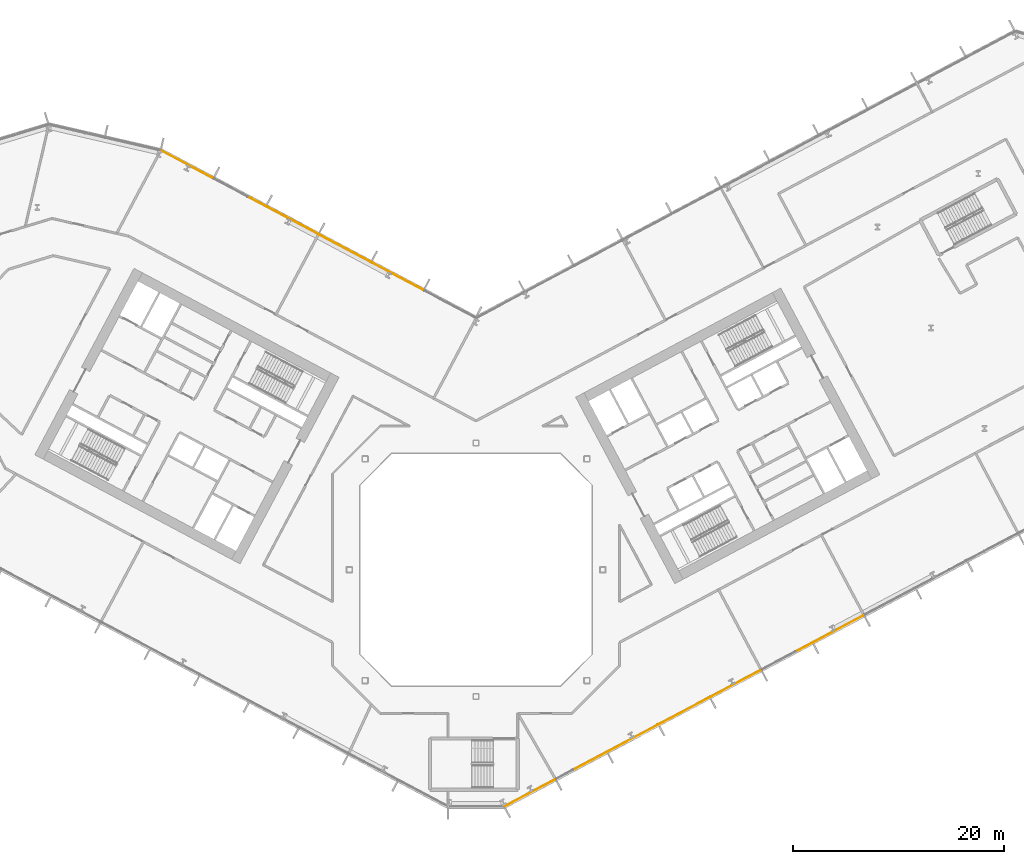
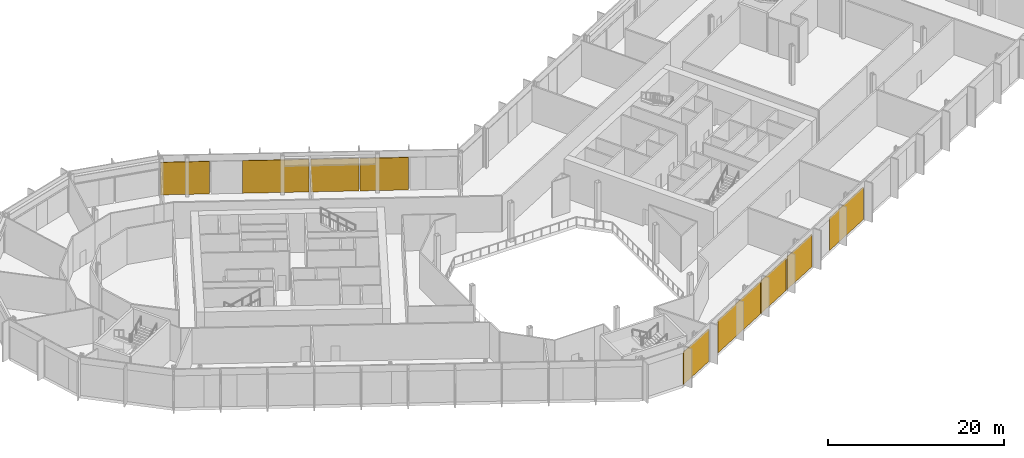
# One storey, part 25 of 30: 9 coverings, 2 elements without a shape of their own.
"""IFC4 building model written with IfcOpenShell, lengths in metres."""

from ifc_helpers import new_model, si_unit, direction, frame, origin, origin_2d, place, context, subcontext, project, spatial, rectangle, extrude, material, layer, layer_set, type_object, element, aggregate, save


model = new_model("IFC4")

# Units and contexts
model_context = context("Model", 3, precision=1e-05, world=origin(), true_north=direction((0.0, 1.0)))
body_context = subcontext(model_context, "Body", "Model", "MODEL_VIEW")
ifc_project = project(units=[si_unit("LENGTHUNIT", "METRE"), si_unit("AREAUNIT", "SQUARE_METRE"), si_unit("VOLUMEUNIT", "CUBIC_METRE"), si_unit("PLANEANGLEUNIT", "RADIAN"), si_unit("MASSUNIT", "GRAM", prefix="KILO")], contexts=[model_context])

# Site, building, storey
site_placement = place(None, origin())
site = spatial("IfcSite", under=ifc_project, at=site_placement, CompositionType="ELEMENT")
building_placement = place(site_placement, origin())
building = spatial("IfcBuilding", under=site, at=building_placement, Name="Cormorant Relay Tower", CompositionType="ELEMENT")
storey_placement = place(building_placement, frame((0.0, 0.0, 55.39990234375)))
storey = spatial("IfcBuildingStorey", under=building, at=storey_placement, Name="L10", CompositionType="ELEMENT", Elevation=55.39990234375)

# Curtain wall, coverings
ifc_material_1 = material(Name="Aluminium 6063-T6 anodised bronze", Category="aluminium")
ifc_layer_1 = layer(ifc_material_1, 0.235107421875)
ifc_layer_set_1 = layer_set([ifc_layer_1], Name="CW6 data hall curtain wall with mineral wool panels")
curtain_wall_type = type_object("IfcCurtainWallType", Name="CW6 data hall curtain wall with mineral wool panels", PredefinedType="NOTDEFINED", material=ifc_layer_set_1)
curtain_wall_1_placement = place(storey_placement, origin())
curtain_wall_1 = element("IfcCurtainWall", 1, at=curtain_wall_1_placement, inside=storey, type_object=curtain_wall_type, Name="CW6 curtain wall 2", PredefinedType="NOTDEFINED")
ifc_material_2 = material(Name="Mineral wool cored anodised bronze aluminium cassette panel", Category="aluminium")
ifc_layer_2 = layer(ifc_material_2, 0.074951171875)
ifc_layer_set_2 = layer_set([ifc_layer_2], Name="CW6 mineral wool cassette panel 75")
covering_type = type_object("IfcCoveringType", Name="CW6 mineral wool cassette panel 75", PredefinedType="CLADDING", material=ifc_layer_set_2)
covering_1_placement = place(storey_placement, frame((5.099853515625, -21.11474609375, 0.0), z_axis=(0.0, 0.0, 1.0), x_axis=(0.882947592859, 0.469471562786, 0.0)))
covering_1 = element("IfcCovering", 2, at=covering_1_placement, type_object=covering_type, Name="CW6 panel S00", PredefinedType="CLADDING", context=body_context, shape_type="SweptSolid", body=[
    extrude(rectangle(XDim=5.36181640625, YDim=0.074951171875, at=origin_2d()), origin(), (0.0, 0.0, 1.0), 4.5),
])
covering_2_placement = place(storey_placement, frame((13.1943359375, -16.810791015625, 0.0), z_axis=(0.0, 0.0, 1.0), x_axis=(0.882947592859, 0.469471562786, 0.0)))
covering_2 = element("IfcCovering", 3, at=covering_2_placement, type_object=covering_type, Name="CW6 panel S02", PredefinedType="CLADDING", context=body_context, shape_type="SweptSolid", body=[
    extrude(rectangle(XDim=9.07373046875, YDim=0.074951171875, at=origin_2d()), origin(), (0.0, 0.0, 1.0), 4.5),
])
covering_3_placement = place(storey_placement, frame((19.69970703125, -13.351806640625, 0.0), z_axis=(0.0, 0.0, 1.0), x_axis=(0.882947592859, 0.469471562786, 0.0)))
covering_3 = element("IfcCovering", 4, at=covering_3_placement, type_object=covering_type, Name="CW6 panel S03", PredefinedType="CLADDING", context=body_context, shape_type="SweptSolid", body=[
    extrude(rectangle(XDim=5.36181640625, YDim=0.074951171875, at=origin_2d()), origin(), (0.0, 0.0, 1.0), 4.5),
])
covering_4_placement = place(storey_placement, frame((24.56640625, -10.76416015625, 0.0), z_axis=(0.0, 0.0, 1.0), x_axis=(0.882947592859, 0.469471562786, 0.0)))
covering_4 = element("IfcCovering", 5, at=covering_4_placement, type_object=covering_type, Name="CW6 panel S04", PredefinedType="CLADDING", context=body_context, shape_type="SweptSolid", body=[
    extrude(rectangle(XDim=5.36181640625, YDim=0.074951171875, at=origin_2d()), origin(), (0.0, 0.0, 1.0), 4.5),
])
covering_5_placement = place(storey_placement, frame((33.455810546875, -6.03759765625, 0.0), z_axis=(0.0, 0.0, 1.0), x_axis=(0.882947592859, 0.469471562786, 0.0)))
covering_5 = element("IfcCovering", 6, at=covering_5_placement, type_object=covering_type, Name="CW6 panel S06", PredefinedType="CLADDING", context=body_context, shape_type="SweptSolid", body=[
    extrude(rectangle(XDim=7.273681640625, YDim=0.074951171875, at=origin_2d()), origin(), (0.0, 0.0, 1.0), 4.5),
])
aggregate(curtain_wall_1, [covering_1, covering_2, covering_3, covering_4, covering_5])

curtain_wall_2_placement = place(storey_placement, origin())
curtain_wall_2 = element("IfcCurtainWall", 7, at=curtain_wall_2_placement, inside=storey, type_object=curtain_wall_type, Name="CW6 curtain wall 7", PredefinedType="NOTDEFINED")
covering_6_placement = place(storey_placement, frame((-7.45068359375, 27.7880859375, 0.0), z_axis=(0.0, 0.0, 1.0), x_axis=(-0.882947592859, 0.469471562786, 0.0)))
covering_6 = element("IfcCovering", 8, at=covering_6_placement, type_object=covering_type, Name="CW6 panel S02", PredefinedType="CLADDING", context=body_context, shape_type="SweptSolid", body=[
    extrude(rectangle(XDim=5.489013671875, YDim=0.074951171875, at=origin_2d()), origin(), (0.0, 0.0, 1.0), 4.5),
])
covering_7_placement = place(storey_placement, frame((-12.4296875, 30.435546875, 0.0), z_axis=(0.0, 0.0, 1.0), x_axis=(-0.882947592859, 0.469471562786, 0.0)))
covering_7 = element("IfcCovering", 9, at=covering_7_placement, type_object=covering_type, Name="CW6 panel S03", PredefinedType="CLADDING", context=body_context, shape_type="SweptSolid", body=[
    extrude(rectangle(XDim=5.489013671875, YDim=0.074951171875, at=origin_2d()), origin(), (0.0, 0.0, 1.0), 4.5),
])
covering_8_placement = place(storey_placement, frame((-18.308837890625, 33.5615234375, 0.0), z_axis=(0.0, 0.0, 1.0), x_axis=(-0.882947592859, 0.469471562786, 0.0)))
covering_8 = element("IfcCovering", 10, at=covering_8_placement, type_object=covering_type, Name="CW6 panel S04", PredefinedType="CLADDING", context=body_context, shape_type="SweptSolid", body=[
    extrude(rectangle(XDim=7.528076171875, YDim=0.074951171875, at=origin_2d()), origin(), (0.0, 0.0, 1.0), 4.5),
])
covering_9_placement = place(storey_placement, frame((-27.39990234375, 38.395263671875, 0.0), z_axis=(0.0, 0.0, 1.0), x_axis=(-0.882947592859, 0.469471562786, 0.0)))
covering_9 = element("IfcCovering", 11, at=covering_9_placement, type_object=covering_type, Name="CW6 panel S06", PredefinedType="CLADDING", context=body_context, shape_type="SweptSolid", body=[
    extrude(rectangle(XDim=5.56396484375, YDim=0.074951171875, at=origin_2d()), origin(), (0.0, 0.0, 1.0), 4.5),
])
aggregate(curtain_wall_2, [covering_6, covering_7, covering_8, covering_9])

save(model, "model.ifc")
